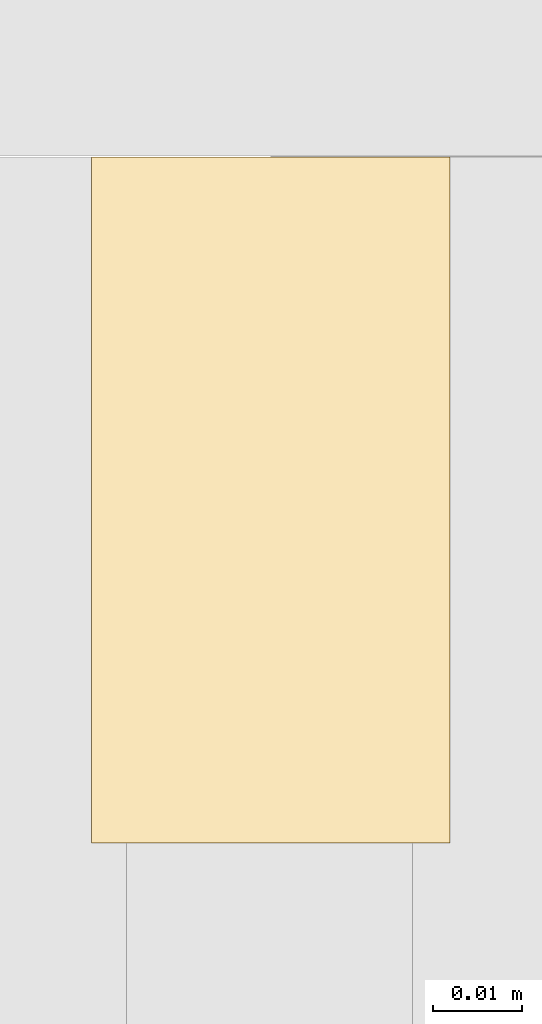
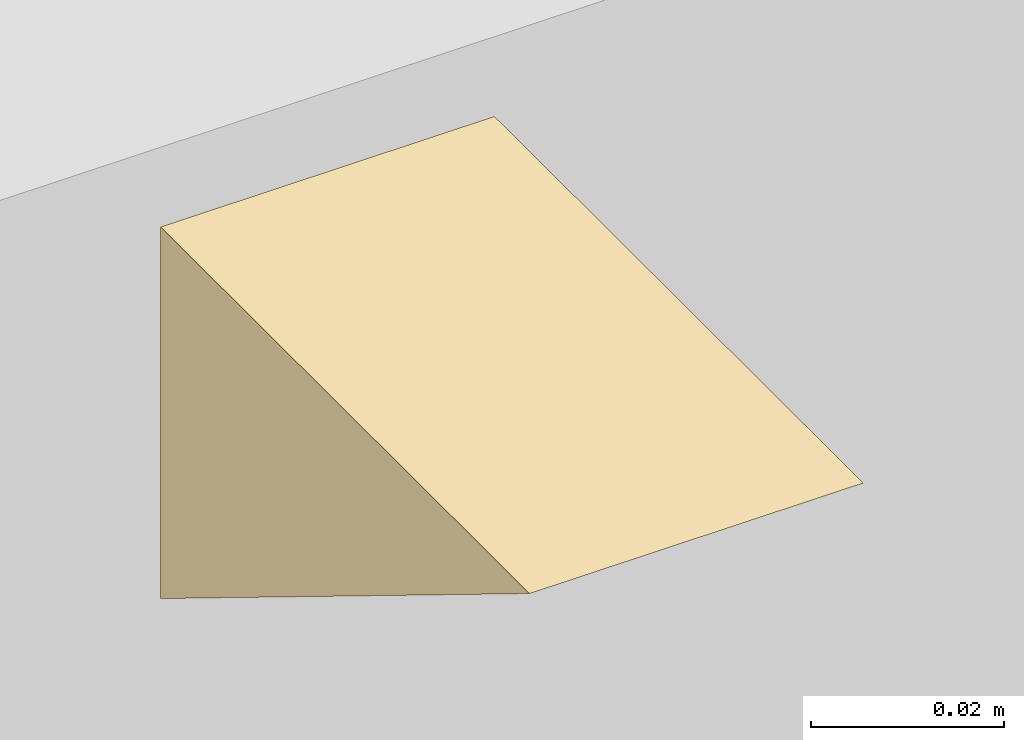
# One storey, part 14 of 17: 1 covering.
"""IFC4 building model written with IfcOpenShell, lengths in metres."""

from ifc_helpers import new_model, si_unit, direction, frame, origin, place, context, subcontext, project, spatial, polyline, outline, extrude, material, layer, layer_set, type_object, element, save


model = new_model("IFC4")

# Units and contexts
model_context = context("Model", 3, precision=1e-05, world=origin(), true_north=direction((0.0, 1.0)))
body_context = subcontext(model_context, "Body", "Model", "MODEL_VIEW")
ifc_project = project(units=[si_unit("LENGTHUNIT", "METRE"), si_unit("AREAUNIT", "SQUARE_METRE"), si_unit("VOLUMEUNIT", "CUBIC_METRE"), si_unit("PLANEANGLEUNIT", "RADIAN"), si_unit("MASSUNIT", "GRAM", prefix="KILO")], contexts=[model_context])

# Site, building, storey
site_placement = place(None, origin())
site = spatial("IfcSite", under=ifc_project, at=site_placement, CompositionType="ELEMENT")
building_placement = place(site_placement, origin())
building = spatial("IfcBuilding", under=site, at=building_placement, Name="Malebo Sky Hospital", CompositionType="ELEMENT")
storey_placement = place(building_placement, frame((0.0, 0.0, 55.0)))
storey = spatial("IfcBuildingStorey", under=building, at=storey_placement, Name="L12", CompositionType="ELEMENT", Elevation=55.0)

# Covering
ifc_material = material(Name="Anodised aluminium, natural silver insulated infill panel", Category="aluminium")
ifc_layer = layer(ifc_material, 0.0400390625)
ifc_layer_set = layer_set([ifc_layer], Name="BRACE INFILL PANEL 40")
covering_type = type_object("IfcCoveringType", Name="BRACE INFILL PANEL 40", PredefinedType="CLADDING", material=ifc_layer_set)
covering_placement = place(storey_placement, frame((34.5, 43.024169921875, 3.94287109375), z_axis=(0.0, 0.0, 1.0), x_axis=(0.0, 1.0, 0.0)))
element("IfcCovering", 1, at=covering_placement, inside=storey, type_object=covering_type, Name="Brace infill panel 1.1", PredefinedType="CLADDING", context=body_context, shape_type="SweptSolid", body=[
    extrude(outline(polyline([(0.038330078125, 0.0), (0.038330078125, 0.047119140625), (-0.038330078125, 0.047119140625), (0.038330078125, 0.0)])), frame((0.0, 0.02001953125, 0.0), z_axis=(0.0, -1.0, 0.0), x_axis=(1.0, 0.0, 0.0)), (0.0, 0.0, 1.0), 0.0400390625),
])

save(model, "model.ifc")
